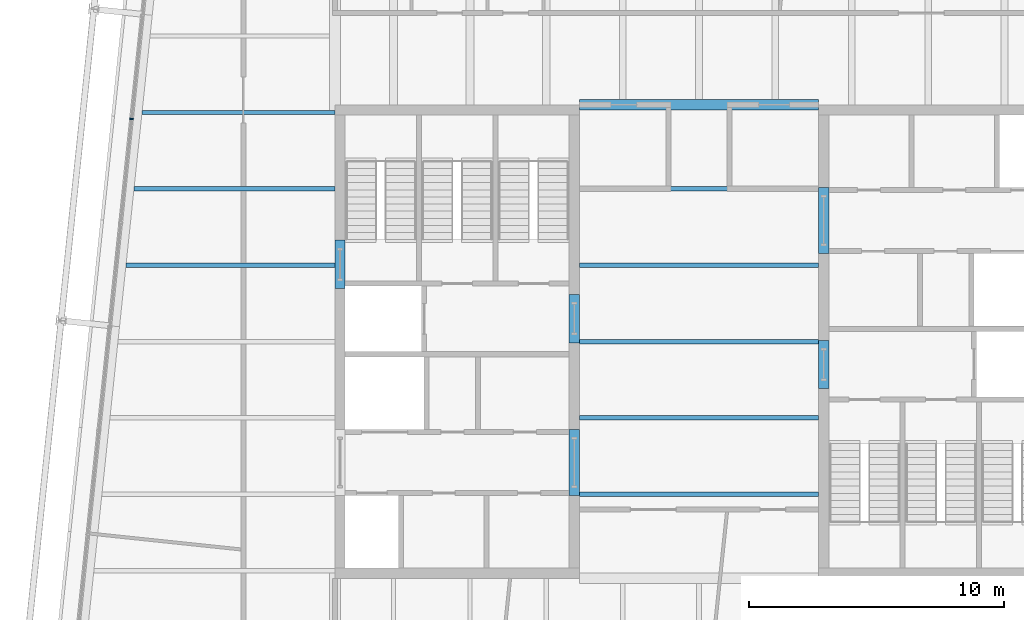
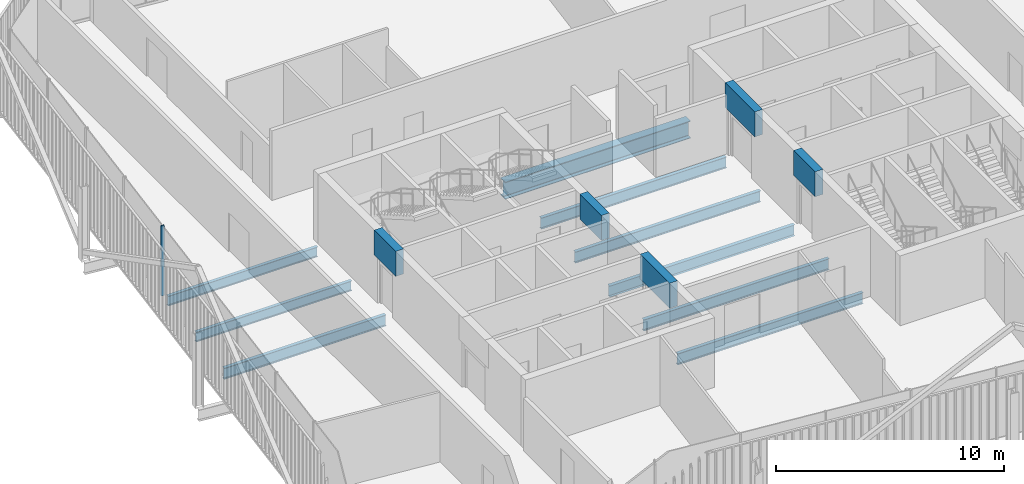
# One storey, part 8 of 21: 14 beams, 1 member, 1 element without a shape of its own.
"""IFC4 building model written with IfcOpenShell, lengths in metres."""

from ifc_helpers import new_model, si_unit, direction, frame, origin, origin_2d, place, context, subcontext, project, spatial, rectangle, i_section, extrude, material, layer, layer_set, material_profile, profile_set, type_object, element, aggregate, save


model = new_model("IFC4")

# Units and contexts
model_context = context("Model", 3, precision=1e-05, world=origin(), true_north=direction((0.0, 1.0)))
body_context = subcontext(model_context, "Body", "Model", "MODEL_VIEW")
ifc_project = project(units=[si_unit("LENGTHUNIT", "METRE"), si_unit("AREAUNIT", "SQUARE_METRE"), si_unit("VOLUMEUNIT", "CUBIC_METRE"), si_unit("PLANEANGLEUNIT", "RADIAN"), si_unit("MASSUNIT", "GRAM", prefix="KILO")], contexts=[model_context])

# Site, building, storey
site_placement = place(None, origin())
site = spatial("IfcSite", under=ifc_project, at=site_placement, CompositionType="ELEMENT")
building_placement = place(site_placement, origin())
building = spatial("IfcBuilding", under=site, at=building_placement, Name="Millrace Tower", CompositionType="ELEMENT")
storey_placement = place(building_placement, frame((0.0, 0.0, 291.60009765625)))
storey = spatial("IfcBuildingStorey", under=building, at=storey_placement, Name="L67", CompositionType="ELEMENT", Elevation=291.60009765625)

# Curtain wall, member
ifc_material_1 = material(Name="Aluminium and glass", Category="aluminium")
ifc_layer = layer(ifc_material_1, 0.14990234375)
ifc_layer_set = layer_set([ifc_layer], Name="Aluminium and glass")
curtain_wall_type = type_object("IfcCurtainWallType", Name="CW-1 office vision curtain wall", PredefinedType="NOTDEFINED", material=ifc_layer_set)
curtain_wall_placement = place(storey_placement, origin())
curtain_wall = element("IfcCurtainWall", 1, at=curtain_wall_placement, inside=storey, type_object=curtain_wall_type, Name="Curtain wall E-F08 L67", PredefinedType="NOTDEFINED")
ifc_material_2 = material(Name="Aluminium", Category="aluminium")
ifc_material_profile_1 = material_profile(ifc_material_2, rectangle(XDim=0.06494140625, YDim=0.14990234375, at=origin_2d()))
ifc_profile_set_1 = profile_set([ifc_material_profile_1], Name="Aluminium")
member_type = type_object("IfcMemberType", Name="CW-1 office vision curtain wall mullion", PredefinedType="MULLION", material=ifc_profile_set_1)
member_placement = place(storey_placement, frame((-22.2890625, 8.742431640625, 0.139892578125), z_axis=(0.0, 0.0, 1.0), x_axis=(-0.104528455196, -0.994521896217, 0.0)))
member = element("IfcMember", 2, at=member_placement, type_object=member_type, Name="CW1 mullion E-F08.5", PredefinedType="MULLION", context=body_context, shape_type="SweptSolid", body=[
    extrude(rectangle(XDim=0.06494140625, YDim=0.14990234375, at=origin_2d()), origin(), (0.0, 0.0, 1.0), 3.760009765625),
])
aggregate(curtain_wall, [member])

# Beams
ifc_material_3 = material(Name="Concrete C60", Category="concrete")
ifc_material_profile_2 = material_profile(ifc_material_3, rectangle(XDim=0.39990234375, YDim=1.340087890625, at=origin_2d()))
ifc_profile_set_2 = profile_set([ifc_material_profile_2], Name="Concrete C60")
beam_type_1 = type_object("IfcBeamType", Name="Coupling beam 400 x 1340 Concrete C60, 1300 opening", PredefinedType="BEAM", material=ifc_profile_set_2)
beam_1_placement = place(storey_placement, frame((-14.10009765625, 2.080078125, 3.06982421875), z_axis=(0.0, 1.0, 0.0), x_axis=(-1.0, 0.0, 0.0)))
element("IfcBeam", 3, at=beam_1_placement, inside=storey, type_object=beam_type_1, Name="Coupling beam W L67", PredefinedType="BEAM", context=body_context, shape_type="SweptSolid", body=[
    extrude(rectangle(XDim=0.39990234375, YDim=1.340087890625, at=origin_2d()), origin(), (0.0, 0.0, 1.0), 1.89990234375),
])
for number, where, z_axis, x_axis, name in (
    (4, (-4.89990234375, -0.050048828125, 3.06982421875), (0.0, 1.0, 0.0), (-1.0, 0.0, 0.0), "Coupling beam W L67"),
    (5, (4.89990234375, 0.050048828125, 3.06982421875), (0.0, -1.0, 0.0), (1.0, 0.0, 0.0), "Coupling beam E L67"),
):
    element("IfcBeam", number, at=place(storey_placement, frame(where, z_axis=z_axis, x_axis=x_axis)), inside=storey, type_object=beam_type_1, Name=name, PredefinedType="BEAM", context=body_context, shape_type="SweptSolid", body=[
        extrude(rectangle(XDim=0.39990234375, YDim=1.340087890625, at=origin_2d()), origin(), (0.0, 0.0, 1.0), 1.900146484375),
    ])
ifc_material_4 = material(Name="Concrete C60", Category="concrete")
ifc_material_profile_3 = material_profile(ifc_material_4, rectangle(XDim=0.39990234375, YDim=1.340087890625, at=origin_2d()))
ifc_profile_set_3 = profile_set([ifc_material_profile_3], Name="Concrete C60")
beam_type_2 = type_object("IfcBeamType", Name="Coupling beam 400 x 1340 Concrete C60, 2000 opening", PredefinedType="BEAM", material=ifc_profile_set_3)
for number, where, z_axis, x_axis, name in (
    (6, (-4.89990234375, -6.050048828125, 3.06982421875), (0.0, 1.0, 0.0), (-1.0, 0.0, 0.0), "Coupling beam W L67"),
    (7, (4.89990234375, 6.050048828125, 3.06982421875), (0.0, -1.0, 0.0), (1.0, 0.0, 0.0), "Coupling beam E L67"),
):
    element("IfcBeam", number, at=place(storey_placement, frame(where, z_axis=z_axis, x_axis=x_axis)), inside=storey, type_object=beam_type_2, Name=name, PredefinedType="BEAM", context=body_context, shape_type="SweptSolid", body=[
        extrude(rectangle(XDim=0.39990234375, YDim=1.340087890625, at=origin_2d()), origin(), (0.0, 0.0, 1.0), 2.60009765625),
    ])
ifc_material_5 = material(Name="Steel ASTM A992 Grade 50", Category="steel")
ifc_material_profile_4 = material_profile(ifc_material_5, i_section(OverallWidth=0.1650390625, OverallDepth=0.52587890625, WebThickness=0.0087890625, FlangeThickness=0.011474609375, FilletRadius=0.0126953125, at=origin_2d()))
ifc_profile_set_4 = profile_set([ifc_material_profile_4], Name="Steel ASTM A992 Grade 50")
beam_type_3 = type_object("IfcBeamType", Name="Floor beam W21x44", PredefinedType="JOIST", material=ifc_profile_set_4)
beam_2_placement = place(storey_placement, frame((-22.19287109375, 6.0, -0.423095703125), z_axis=(1.0, 0.0, 0.0), x_axis=(0.0, 1.0, 0.0)))
element("IfcBeam", 8, at=beam_2_placement, inside=storey, type_object=beam_type_3, Name="BM-E-L67-S1-S021", PredefinedType="JOIST", context=body_context, shape_type="SweptSolid", body=[
    extrude(i_section(OverallWidth=0.1650390625, OverallDepth=0.52587890625, WebThickness=0.0087890625, FlangeThickness=0.011474609375, FilletRadius=0.0126953125, at=origin_2d()), origin(), (0.0, 0.0, 1.0), 7.892822265625),
])
beam_3_placement = place(storey_placement, frame((-21.87744140625, 9.0, -0.423095703125), z_axis=(1.0, 0.0, 0.0), x_axis=(0.0, 1.0, 0.0)))
element("IfcBeam", 9, at=beam_3_placement, inside=storey, type_object=beam_type_3, Name="BM-E-L67-S1-S023", PredefinedType="JOIST", context=body_context, shape_type="SweptSolid", body=[
    extrude(i_section(OverallWidth=0.1650390625, OverallDepth=0.52587890625, WebThickness=0.0087890625, FlangeThickness=0.011474609375, FilletRadius=0.0126953125, at=origin_2d()), origin(), (0.0, 0.0, 1.0), 7.577392578125),
])
ifc_material_6 = material(Name="Steel ASTM A992 Grade 50", Category="steel")
ifc_material_profile_5 = material_profile(ifc_material_6, i_section(OverallWidth=0.177978515625, OverallDepth=0.599365234375, WebThickness=0.010009765625, FlangeThickness=0.012939453125, FilletRadius=0.012939453125, at=origin_2d()))
ifc_profile_set_5 = profile_set([ifc_material_profile_5], Name="Steel ASTM A992 Grade 50")
beam_type_4 = type_object("IfcBeamType", Name="Floor beam W24x55", PredefinedType="JOIST", material=ifc_profile_set_5)
for number, where, z_axis, x_axis, name in (
    (10, (-4.699951171875, -6.0, -0.459716796875), (1.0, 0.0, 0.0), (0.0, 1.0, 0.0), "BM-E-L67-S1-S008"),
    (11, (-4.699951171875, -3.0, -0.459716796875), (1.0, 0.0, 0.0), (0.0, 1.0, 0.0), "BM-E-L67-S1-S011"),
    (12, (-4.699951171875, 0.0, -0.459716796875), (1.0, 0.0, 0.0), (0.0, 1.0, 0.0), "BM-E-L67-S1-S014"),
    (13, (-4.699951171875, 3.0, -0.459716796875), (1.0, 0.0, 0.0), (0.0, 1.0, 0.0), "BM-E-L67-S1-S017"),
):
    element("IfcBeam", number, at=place(storey_placement, frame(where, z_axis=z_axis, x_axis=x_axis)), inside=storey, type_object=beam_type_4, Name=name, PredefinedType="JOIST", context=body_context, shape_type="SweptSolid", body=[
        extrude(i_section(OverallWidth=0.177978515625, OverallDepth=0.599365234375, WebThickness=0.010009765625, FlangeThickness=0.012939453125, FilletRadius=0.012939453125, at=origin_2d()), origin(), (0.0, 0.0, 1.0), 9.39990234375),
    ])
beam_4_placement = place(storey_placement, frame((-22.508056640625, 3.0, -0.459716796875), z_axis=(1.0, 0.0, 0.0), x_axis=(0.0, 1.0, 0.0)))
element("IfcBeam", 14, at=beam_4_placement, inside=storey, type_object=beam_type_4, Name="BM-E-L67-S1-S018", PredefinedType="JOIST", context=body_context, shape_type="SweptSolid", body=[
    extrude(i_section(OverallWidth=0.177978515625, OverallDepth=0.599365234375, WebThickness=0.010009765625, FlangeThickness=0.012939453125, FilletRadius=0.012939453125, at=origin_2d()), origin(), (0.0, 0.0, 1.0), 8.2080078125),
])
beam_5_placement = place(storey_placement, frame((-4.699951171875, 6.0, -0.459716796875), z_axis=(1.0, 0.0, 0.0), x_axis=(0.0, 1.0, 0.0)))
element("IfcBeam", 15, at=beam_5_placement, inside=storey, type_object=beam_type_4, Name="BM-E-L67-S1-S020", PredefinedType="JOIST", context=body_context, shape_type="SweptSolid", body=[
    extrude(i_section(OverallWidth=0.177978515625, OverallDepth=0.599365234375, WebThickness=0.010009765625, FlangeThickness=0.012939453125, FilletRadius=0.012939453125, at=origin_2d()), origin(), (0.0, 0.0, 1.0), 9.39990234375),
])
ifc_material_7 = material(Name="Steel ASTM A992 Grade 50", Category="steel")
ifc_material_profile_6 = material_profile(ifc_material_7, i_section(OverallWidth=0.419189453125, OverallDepth=0.927001953125, WebThickness=0.019287109375, FlangeThickness=0.031982421875, FilletRadius=0.024169921875, at=origin_2d()))
ifc_profile_set_6 = profile_set([ifc_material_profile_6], Name="Steel ASTM A992 Grade 50")
beam_type_5 = type_object("IfcBeamType", Name="Girder short span W36x231", PredefinedType="BEAM", material=ifc_profile_set_6)
beam_6_placement = place(storey_placement, frame((-4.699951171875, 9.300048828125, -0.62353515625), z_axis=(1.0, 0.0, 0.0), x_axis=(0.0, 1.0, 0.0)))
element("IfcBeam", 16, at=beam_6_placement, inside=storey, type_object=beam_type_5, Name="BM-E-L67-S1-G058", PredefinedType="BEAM", context=body_context, shape_type="SweptSolid", body=[
    extrude(i_section(OverallWidth=0.419189453125, OverallDepth=0.927001953125, WebThickness=0.019287109375, FlangeThickness=0.031982421875, FilletRadius=0.024169921875, at=origin_2d()), origin(), (0.0, 0.0, 1.0), 9.39990234375),
])

save(model, "model.ifc")
